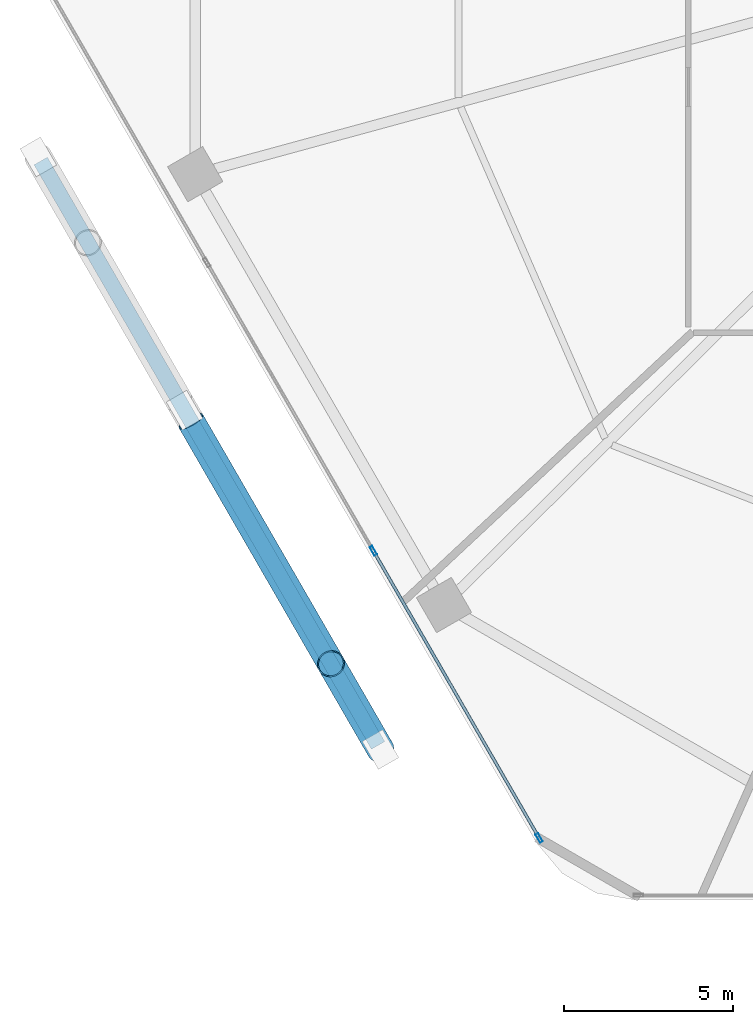
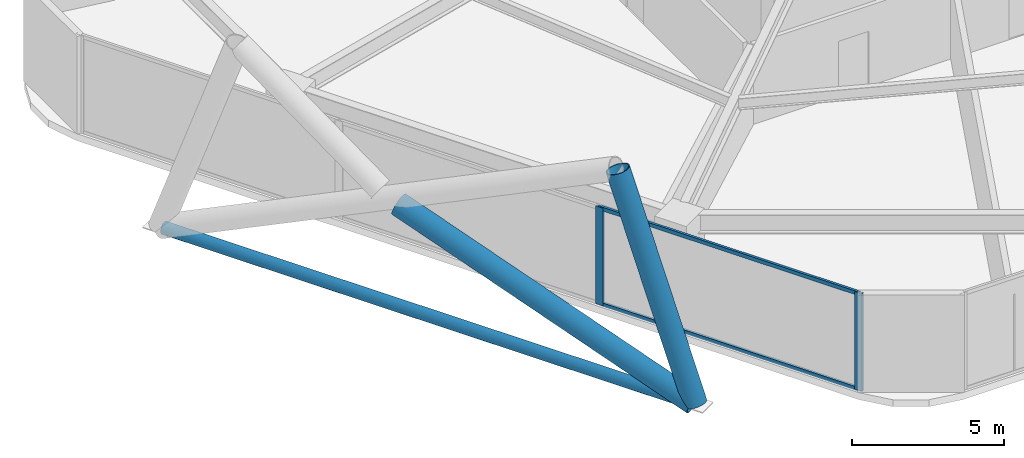
# One storey, part 2 of 28: 7 members, 1 element without a shape of its own.
"""IFC4 building model written with IfcOpenShell, lengths in metres."""

from ifc_helpers import new_model, si_unit, direction, frame, origin, origin_2d, place, context, subcontext, project, spatial, hollow_rectangle, hollow_circle, extrude, material, material_profile, profile_set, type_object, element, aggregate, save


model = new_model("IFC4")

# Units and contexts
model_context = context("Model", 3, precision=1e-05, world=origin(), true_north=direction((0.0, 1.0)))
body_context = subcontext(model_context, "Body", "Model", "MODEL_VIEW")
ifc_project = project(units=[si_unit("LENGTHUNIT", "METRE"), si_unit("AREAUNIT", "SQUARE_METRE"), si_unit("VOLUMEUNIT", "CUBIC_METRE"), si_unit("PLANEANGLEUNIT", "RADIAN"), si_unit("MASSUNIT", "GRAM", prefix="KILO")], contexts=[model_context])

# Site, building, storey
site_placement = place(None, origin())
site = spatial("IfcSite", under=ifc_project, at=site_placement, CompositionType="ELEMENT")
building_placement = place(site_placement, origin())
building = spatial("IfcBuilding", under=site, at=building_placement, Name="Zuhravey Tower", CompositionType="ELEMENT")
storey_placement = place(building_placement, frame((0.0, 0.0, 75.0)))
storey = spatial("IfcBuildingStorey", under=building, at=storey_placement, Name="L18", CompositionType="ELEMENT", Elevation=75.0)

# Curtain wall, members
ifc_material_1 = material(Name="Thermally broken anodised aluminium", Category="aluminium")
curtain_wall_type = type_object("IfcCurtainWallType", Name="School Low-E Unitised Curtain Wall CW1", PredefinedType="NOTDEFINED", material=ifc_material_1)
curtain_wall_placement = place(storey_placement, origin())
curtain_wall = element("IfcCurtainWall", 1, at=curtain_wall_placement, inside=storey, type_object=curtain_wall_type, Name="L18 CW1 CW-L18-F4-1", PredefinedType="NOTDEFINED")
ifc_material_2 = material(Name="Anodised aluminium", Category="aluminium")
ifc_material_profile_1 = material_profile(ifc_material_2, hollow_rectangle(XDim=0.090087890625, YDim=0.284912109375, WallThickness=0.0048828125, at=origin_2d()), Name="ALU-RHS-90x285x5")
ifc_profile_set_1 = profile_set([ifc_material_profile_1], Name="Anodised aluminium")
member_type_1 = type_object("IfcMemberType", Name="Curtain-Wall Mullion 90x180", PredefinedType="MULLION", material=ifc_profile_set_1)
member_1_placement = place(storey_placement, frame((18.298583984375, 4.742919921875, 0.0), z_axis=(0.0, 0.0, 1.0), x_axis=(-0.86602552265, -0.499999794119, 0.0)))
member_1 = element("IfcMember", 2, at=member_1_placement, type_object=member_type_1, Name="CW1 mullion 1", PredefinedType="MULLION", context=body_context, shape_type="SweptSolid", body=[
    extrude(hollow_rectangle(XDim=0.090087890625, YDim=0.284912109375, WallThickness=0.0048828125, at=origin_2d()), origin(), (0.0, 0.0, 1.0), 3.919921875),
])
member_2_placement = place(storey_placement, frame((13.387939453125, 13.24853515625, 0.0), z_axis=(0.0, 0.0, 1.0), x_axis=(-0.86602552265, -0.499999794119, 0.0)))
member_2 = element("IfcMember", 3, at=member_2_placement, type_object=member_type_1, Name="CW1 mullion 2", PredefinedType="MULLION", context=body_context, shape_type="SweptSolid", body=[
    extrude(hollow_rectangle(XDim=0.090087890625, YDim=0.284912109375, WallThickness=0.0048828125, at=origin_2d()), origin(), (0.0, 0.0, 1.0), 3.919921875),
])
ifc_material_profile_2 = material_profile(ifc_material_2, hollow_rectangle(XDim=0.090087890625, YDim=0.14990234375, WallThickness=0.0048828125, at=origin_2d()), Name="ALU-RHS-90x150x5")
ifc_profile_set_2 = profile_set([ifc_material_profile_2], Name="Anodised aluminium")
member_type_2 = type_object("IfcMemberType", Name="Curtain-Wall Transom 90x150", PredefinedType="USERDEFINED", material=ifc_profile_set_2)
member_3_placement = place(storey_placement, frame((18.27587890625, 4.781982421875, 0.044921875), z_axis=(-0.499989576763, 0.86603142156, 0.0), x_axis=(-0.86603142156, -0.499989576763, 0.0)))
member_3 = element("IfcMember", 4, at=member_3_placement, type_object=member_type_2, Name="CW1 transom 1.1", ObjectType="TRANSOM", PredefinedType="USERDEFINED", context=body_context, shape_type="SweptSolid", body=[
    extrude(hollow_rectangle(XDim=0.090087890625, YDim=0.14990234375, WallThickness=0.0048828125, at=origin_2d()), origin(), (0.0, 0.0, 1.0), 9.731201171875),
])
member_4_placement = place(storey_placement, frame((18.27587890625, 4.781982421875, 3.875), z_axis=(-0.499989576763, 0.86603142156, 0.0), x_axis=(-0.86603142156, -0.499989576763, 0.0)))
member_4 = element("IfcMember", 5, at=member_4_placement, type_object=member_type_2, Name="CW1 transom 1.2", ObjectType="TRANSOM", PredefinedType="USERDEFINED", context=body_context, shape_type="SweptSolid", body=[
    extrude(hollow_rectangle(XDim=0.090087890625, YDim=0.14990234375, WallThickness=0.0048828125, at=origin_2d()), origin(), (0.0, 0.0, 1.0), 9.731201171875),
])
aggregate(curtain_wall, [member_1, member_2, member_3, member_4])

# Members
ifc_material_3 = material(Name="Steel SM355", Category="steel")
ifc_material_profile_3 = material_profile(ifc_material_3, hollow_circle(Radius=0.228515625, WallThickness=0.02197265625, at=origin_2d()), Name="CHS-457.2x22")
ifc_profile_set_3 = profile_set([ifc_material_profile_3], Name="Steel SM355")
member_type_3 = type_object("IfcMemberType", Name="Exoskeleton Ring Tie CHS457x22", PredefinedType="CHORD", material=ifc_profile_set_3)
member_5_placement = place(storey_placement, frame((3.53271484375, 24.79833984375, -0.493896484375), z_axis=(0.499987058157, -0.866032875632, 0.0), x_axis=(0.866032875632, 0.499987058157, 0.0)))
element("IfcMember", 6, at=member_5_placement, inside=storey, type_object=member_type_3, Name="L18 Exoskeleton Face 4 Tie EXR1", PredefinedType="CHORD", context=body_context, shape_type="SweptSolid", body=[
    extrude(hollow_circle(Radius=0.228515625, WallThickness=0.02197265625, at=origin_2d()), origin(), (0.0, 0.0, 1.0), 19.99365234375),
])
ifc_material_4 = material(Name="Steel SM460", Category="steel")
ifc_material_profile_4 = material_profile(ifc_material_4, hollow_circle(Radius=0.406494140625, WallThickness=0.035888671875, at=origin_2d()), Name="CHS-812.8x36")
ifc_profile_set_4 = profile_set([ifc_material_profile_4], Name="Steel SM460")
member_type_4 = type_object("IfcMemberType", Name="Exoskeleton Zone 1 Diagrid CHS813x36", PredefinedType="BRACE", material=ifc_profile_set_4)
member_6_placement = place(storey_placement, frame((13.595458984375, 7.36865234375, -0.471923828125), z_axis=(-0.165307317227, 0.286358046605, 0.943754501984), x_axis=(-0.866053660865, -0.499951054106, 0.0)))
element("IfcMember", 7, at=member_6_placement, inside=storey, type_object=member_type_4, Name="L18 Face 4 Diagrid Brace 4", PredefinedType="BRACE", context=body_context, shape_type="SweptSolid", body=[
    extrude(hollow_circle(Radius=0.406494140625, WallThickness=0.035888671875, at=origin_2d()), origin(), (0.0, 0.0, 1.0), 8.85400390625),
])
member_7_placement = place(storey_placement, frame((13.57568359375, 7.403076171875, -0.476806640625), z_axis=(-0.470168805096, 0.814366925669, 0.340217290992), x_axis=(-0.866028239721, -0.499995087982, 0.0)))
element("IfcMember", 8, at=member_7_placement, inside=storey, type_object=member_type_4, Name="L18 Face 4 Split Diagrid Brace 3A", PredefinedType="BRACE", context=body_context, shape_type="SweptSolid", body=[
    extrude(hollow_circle(Radius=0.406494140625, WallThickness=0.035888671875, at=origin_2d()), origin(), (0.0, 0.0, 1.0), 11.89794921875),
])

save(model, "model.ifc")
